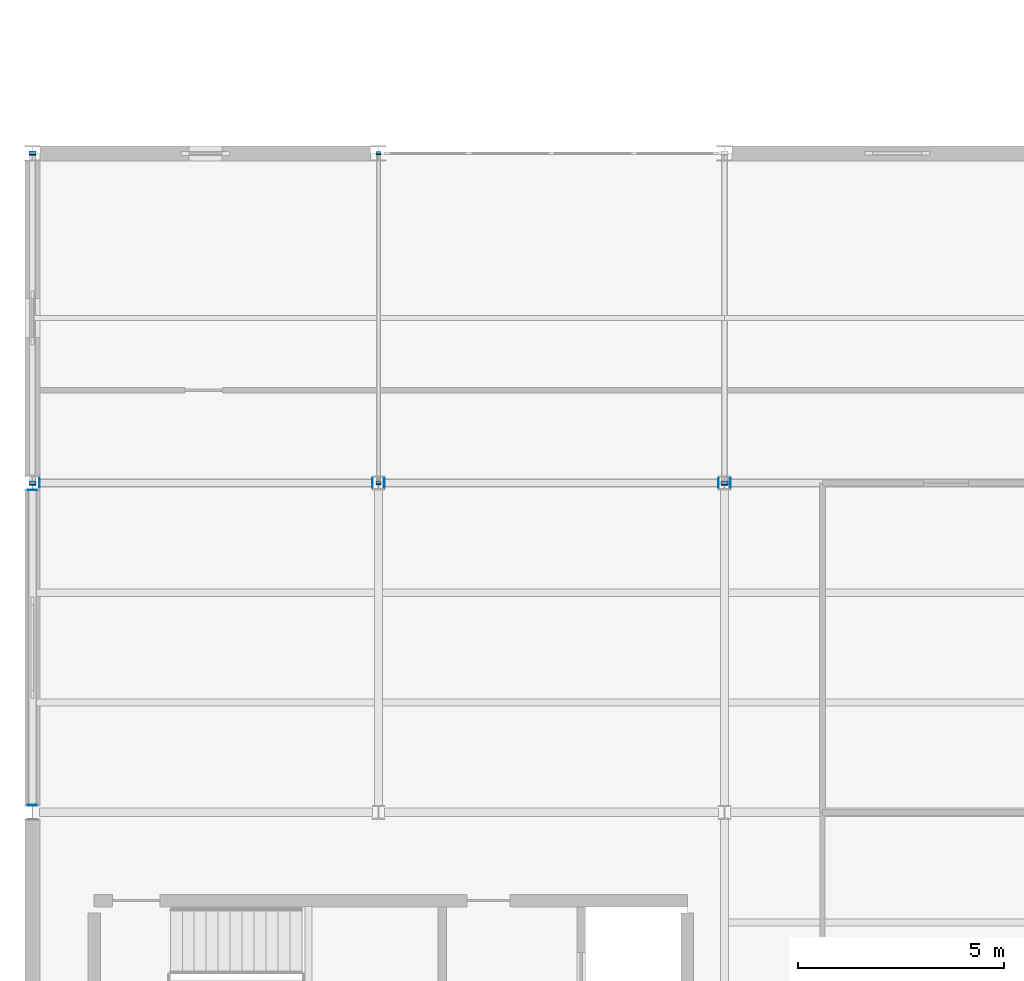
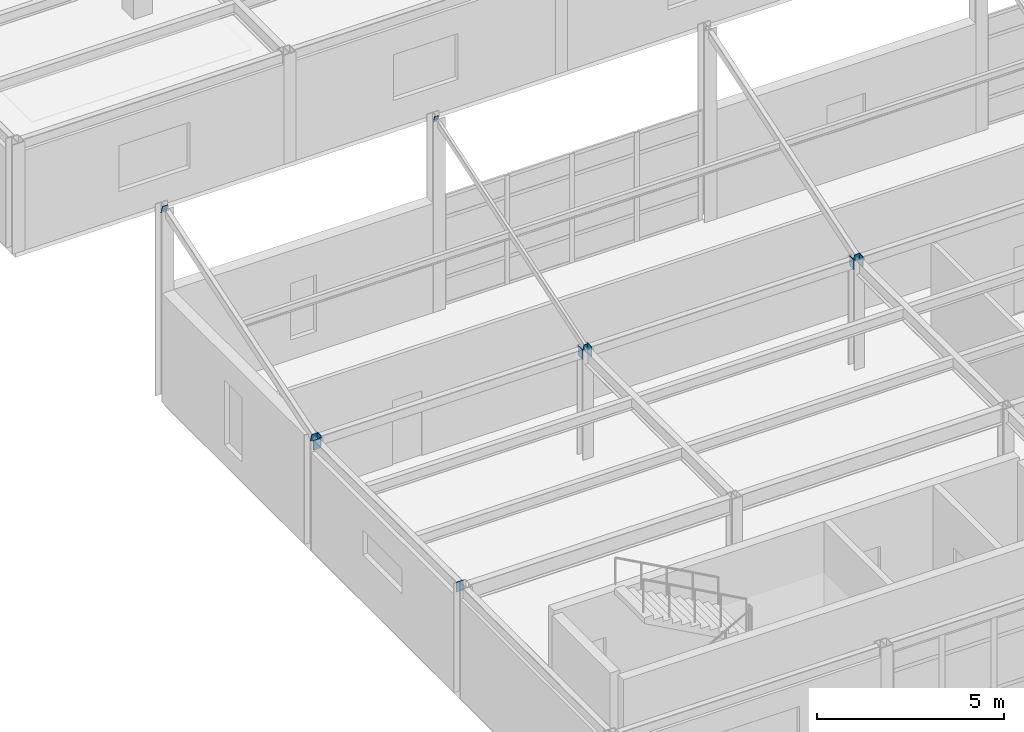
# One storey, part 58 of 96: 12 discrete accessories.
"""IFC4 building model written with IfcOpenShell, lengths in metres."""

from ifc_helpers import new_model, si_unit, direction, frame, origin, origin_2d, place, context, subcontext, project, spatial, rectangle, extrude, material, layer, layer_set, type_object, element, save


model = new_model("IFC4")

# Units and contexts
model_context = context("Model", 3, precision=1e-05, world=origin(), true_north=direction((0.0, 1.0)))
body_context = subcontext(model_context, "Body", "Model", "MODEL_VIEW")
ifc_project = project(units=[si_unit("LENGTHUNIT", "METRE"), si_unit("AREAUNIT", "SQUARE_METRE"), si_unit("VOLUMEUNIT", "CUBIC_METRE"), si_unit("PLANEANGLEUNIT", "RADIAN"), si_unit("MASSUNIT", "GRAM", prefix="KILO")], contexts=[model_context])

# Site, building, storey
site_placement = place(None, origin())
site = spatial("IfcSite", under=ifc_project, at=site_placement, CompositionType="ELEMENT")
building_placement = place(site_placement, origin())
building = spatial("IfcBuilding", under=site, at=building_placement, Name="Kranzveld Transit Interchange", CompositionType="ELEMENT")
storey_placement = place(building_placement, frame((0.0, 0.0, 9.52001953125)))
storey = spatial("IfcBuildingStorey", under=building, at=storey_placement, Name="L02", CompositionType="ELEMENT", Elevation=9.52001953125)

# Discrete accessories
ifc_material = material(Name="Steel S355JR", Category="steel")
ifc_layer = layer(ifc_material, 0.02001953125)
ifc_layer_set = layer_set([ifc_layer], Name="Steel S355JR")
discrete_accessory_type = type_object("IfcDiscreteAccessoryType", Name="Hollow Section End Cap Bracket 20 S355JR", PredefinedType="BRACKET", material=ifc_layer_set)
for number, where, z_axis, x_axis, name in (
    (1, (0.181396484375, 32.0, 3.419921875), (-1.0, 0.0, 0.0), (0.0, -1.0, 0.0), "Hollow Section End Cap SP-RHS300-1"),
    (2, (8.248779296875, 32.0, 3.419921875), (1.0, 0.0, 0.0), (0.0, 1.0, 0.0), "Hollow Section End Cap SP-RHS300-2"),
    (3, (8.55126953125, 32.0, 3.419921875), (-1.0, 0.0, 0.0), (0.0, -1.0, 0.0), "Hollow Section End Cap SP-RHS300-1"),
    (4, (16.648681640625, 32.0, 3.419921875), (1.0, 0.0, 0.0), (0.0, 1.0, 0.0), "Hollow Section End Cap SP-RHS300-2"),
    (5, (16.951171875, 32.0, 3.419921875), (-1.0, 0.0, 0.0), (0.0, -1.0, 0.0), "Hollow Section End Cap SP-RHS300-1"),
    (6, (0.0, 24.181396484375, 3.419921875), (0.0, -1.0, 0.0), (1.0, 0.0, 0.0), "Hollow Section End Cap SP-RHS300-1"),
    (7, (0.0, 31.818603515625, 3.419921875), (0.0, 1.0, 0.0), (-1.0, 0.0, 0.0), "Hollow Section End Cap SP-RHS300-2"),
):
    element("IfcDiscreteAccessory", number, at=place(storey_placement, frame(where, z_axis=z_axis, x_axis=x_axis)), inside=storey, type_object=discrete_accessory_type, Name=name, PredefinedType="BRACKET", context=body_context, shape_type="SweptSolid", body=[
        extrude(rectangle(XDim=0.22412109375, YDim=0.323974609375, at=origin_2d()), origin(), (0.0, 0.0, 1.0), 0.02001953125),
    ])
for number, where, z_axis, x_axis, name in (
    (8, (0.0, 32.00390625, 3.561279296875), (0.0, -0.948683298051, -0.316227766017), (1.0, 0.0, 0.0), "Hollow Section End Cap CH-RHS250-1"),
    (9, (0.0, 39.99609375, 6.15869140625), (0.0, 0.948683298051, 0.316227766017), (-1.0, 0.0, 0.0), "Hollow Section End Cap CH-RHS250-2"),
):
    element("IfcDiscreteAccessory", number, at=place(storey_placement, frame(where, z_axis=z_axis, x_axis=x_axis)), inside=storey, type_object=discrete_accessory_type, Name=name, PredefinedType="BRACKET", context=body_context, shape_type="SweptSolid", body=[
        extrude(rectangle(XDim=0.174072265625, YDim=0.27392578125, at=origin_2d()), origin(), (0.0, 0.0, 1.0), 0.02001953125),
    ])
for number, where, z_axis, x_axis, name in (
    (10, (8.39990234375, 32.00390625, 3.561279296875), (0.0, -0.948683298051, -0.316227766017), (1.0, 0.0, 0.0), "Hollow Section End Cap CH-RHS200-1"),
    (11, (8.39990234375, 39.99609375, 6.15869140625), (0.0, 0.948683298051, 0.316227766017), (-1.0, 0.0, 0.0), "Hollow Section End Cap CH-RHS200-2"),
):
    element("IfcDiscreteAccessory", number, at=place(storey_placement, frame(where, z_axis=z_axis, x_axis=x_axis)), inside=storey, type_object=discrete_accessory_type, Name=name, PredefinedType="BRACKET", context=body_context, shape_type="SweptSolid", body=[
        extrude(rectangle(XDim=0.1240234375, YDim=0.22412109375, at=origin_2d()), origin(), (0.0, 0.0, 1.0), 0.02001953125),
    ])
discrete_accessory_placement = place(storey_placement, frame((16.800048828125, 32.00390625, 3.561279296875), z_axis=(0.0, -0.948683298051, -0.316227766017), x_axis=(1.0, 0.0, 0.0)))
element("IfcDiscreteAccessory", 12, at=discrete_accessory_placement, inside=storey, type_object=discrete_accessory_type, Name="Hollow Section End Cap CH-RHS250-1", PredefinedType="BRACKET", context=body_context, shape_type="SweptSolid", body=[
    extrude(rectangle(XDim=0.174072265625, YDim=0.27392578125, at=origin_2d()), origin(), (0.0, 0.0, 1.0), 0.02001953125),
])

save(model, "model.ifc")
